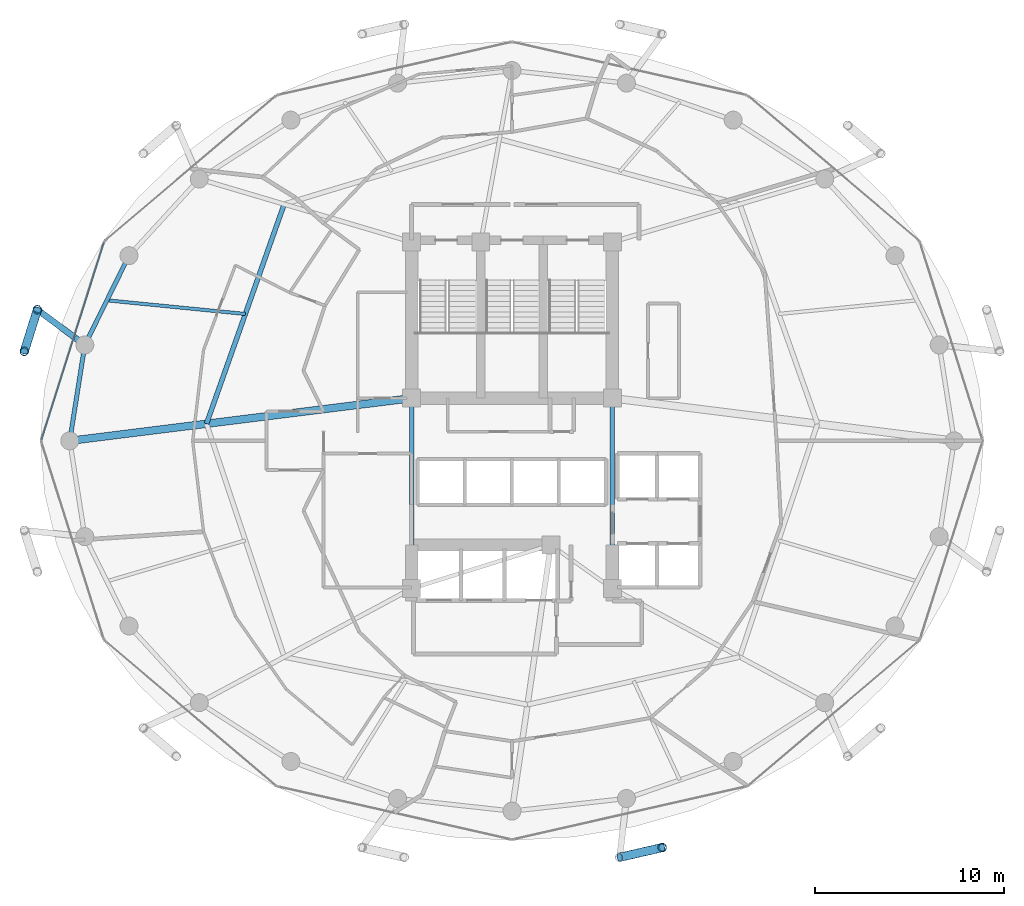
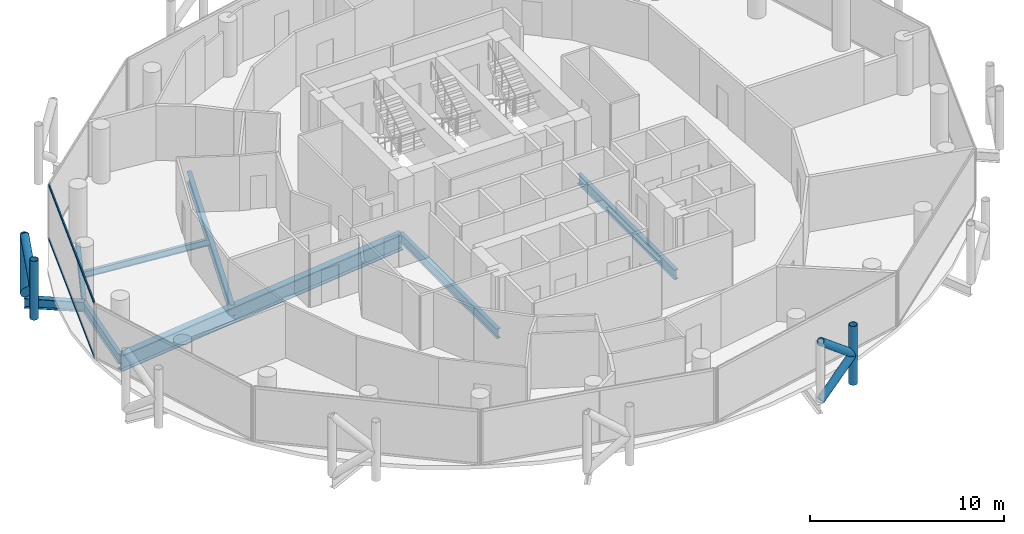
# One storey, part 7 of 26: 9 members, 8 beams, 1 element without a shape of its own.
"""IFC4 building model written with IfcOpenShell, lengths in metres."""

from ifc_helpers import new_model, si_unit, direction, frame, origin, origin_2d, place, context, subcontext, project, spatial, hollow_rectangle, hollow_circle, i_section, extrude, material, layer, layer_set, material_profile, profile_set, type_object, element, aggregate, save


model = new_model("IFC4")

# Units and contexts
model_context = context("Model", 3, precision=1e-05, world=origin(), true_north=direction((0.0, 1.0)))
body_context = subcontext(model_context, "Body", "Model", "MODEL_VIEW")
ifc_project = project(units=[si_unit("LENGTHUNIT", "METRE"), si_unit("AREAUNIT", "SQUARE_METRE"), si_unit("VOLUMEUNIT", "CUBIC_METRE"), si_unit("PLANEANGLEUNIT", "RADIAN"), si_unit("MASSUNIT", "GRAM", prefix="KILO")], contexts=[model_context])

# Site, building, storey
site_placement = place(None, origin())
site = spatial("IfcSite", under=ifc_project, at=site_placement, CompositionType="ELEMENT")
building_placement = place(site_placement, origin())
building = spatial("IfcBuilding", under=site, at=building_placement, Name="Nuhasar Tower", CompositionType="ELEMENT")
storey_placement = place(building_placement, frame((0.0, 0.0, 151.550048828125)))
storey = spatial("IfcBuildingStorey", under=building, at=storey_placement, Name="L36", CompositionType="ELEMENT", Elevation=151.550048828125)

# Beams
ifc_material_1 = material(Name="Steel S355", Category="steel")
ifc_material_profile_1 = material_profile(ifc_material_1, i_section(OverallWidth=0.25390625, OverallDepth=0.68408203125, WebThickness=0.012451171875, FlangeThickness=0.018798828125, at=origin_2d()), Name="W27X94")
ifc_profile_set_1 = profile_set([ifc_material_profile_1], Name="Steel S355")
beam_type_1 = type_object("IfcBeamType", Name="BM-INRING-W27X94", PredefinedType="BEAM", material=ifc_profile_set_1)
beam_1_placement = place(storey_placement, frame((26.972900390625, 39.2939453125, -0.592041015625), z_axis=(-0.333599821096, -0.942714781556, 0.0), x_axis=(0.942714781556, -0.333599821096, 0.0)))
element("IfcBeam", 1, at=beam_1_placement, inside=storey, type_object=beam_type_1, Name="L36 Inner Header Beam 07", PredefinedType="BEAM", context=body_context, shape_type="SweptSolid", body=[
    extrude(i_section(OverallWidth=0.25390625, OverallDepth=0.68408203125, WebThickness=0.012451171875, FlangeThickness=0.018798828125, at=origin_2d()), origin(), (0.0, 0.0, 1.0), 12.298583984375),
])
ifc_material_profile_2 = material_profile(ifc_material_1, i_section(OverallWidth=0.177978515625, OverallDepth=0.406005859375, WebThickness=0.0078125, FlangeThickness=0.0126953125, at=origin_2d()), Name="W16X40")
ifc_profile_set_2 = profile_set([ifc_material_profile_2], Name="Steel S355")
beam_type_2 = type_object("IfcBeamType", Name="BM-JST-W16X40", PredefinedType="JOIST", material=ifc_profile_set_2)
beam_2_placement = place(storey_placement, frame((24.922119140625, 33.4970703125, -0.453125), z_axis=(-0.995171845755, 0.098147834497, 0.0), x_axis=(-0.098147834497, -0.995171845755, 0.0)))
element("IfcBeam", 2, at=beam_2_placement, inside=storey, type_object=beam_type_2, Name="L36 Secondary Floor Joist 07", PredefinedType="JOIST", context=body_context, shape_type="SweptSolid", body=[
    extrude(i_section(OverallWidth=0.177978515625, OverallDepth=0.406005859375, WebThickness=0.0078125, FlangeThickness=0.0126953125, at=origin_2d()), origin(), (0.0, 0.0, 1.0), 7.345458984375),
])
ifc_material_profile_3 = material_profile(ifc_material_1, i_section(OverallWidth=0.22900390625, OverallDepth=0.612060546875, WebThickness=0.011962890625, FlangeThickness=0.01953125, at=origin_2d()), Name="W24X84")
ifc_profile_set_3 = profile_set([ifc_material_profile_3], Name="Steel S355")
beam_type_3 = type_object("IfcBeamType", Name="BM-RAD-W24X84", PredefinedType="BEAM", material=ifc_profile_set_3)
for number, where, z_axis, x_axis, name in (
    (3, (44.300048828125, 19.0, -0.55615234375), (0.0, 1.0, 0.0), (-1.0, 0.0, 0.0), "L36 Core Ring Girder 3"),
    (4, (33.699951171875, 29.050048828125, -0.55615234375), (0.0, -1.0, 0.0), (1.0, 0.0, 0.0), "L36 Core Ring Girder 8"),
):
    element("IfcBeam", number, at=place(storey_placement, frame(where, z_axis=z_axis, x_axis=x_axis)), inside=storey, type_object=beam_type_3, Name=name, PredefinedType="BEAM", context=body_context, shape_type="SweptSolid", body=[
        extrude(i_section(OverallWidth=0.22900390625, OverallDepth=0.612060546875, WebThickness=0.011962890625, FlangeThickness=0.01953125, at=origin_2d()), origin(), (0.0, 0.0, 1.0), 10.050048828125),
    ])
ifc_material_profile_4 = material_profile(ifc_material_1, i_section(OverallWidth=0.22998046875, OverallDepth=0.616943359375, WebThickness=0.01318359375, FlangeThickness=0.022216796875, at=origin_2d()), Name="W24X94")
ifc_profile_set_4 = profile_set([ifc_material_profile_4], Name="Steel S355")
beam_type_4 = type_object("IfcBeamType", Name="BM-RING-W24X94", PredefinedType="SPANDREL", material=ifc_profile_set_4)
beam_3_placement = place(storey_placement, frame((18.778076171875, 36.574951171875, -0.55810546875), z_axis=(-0.443347771709, -0.896349682501, 0.0), x_axis=(0.896349682501, -0.443347771709, 0.0)))
element("IfcBeam", 5, at=beam_3_placement, inside=storey, type_object=beam_type_4, Name="L36 Perimeter Ring Spandrel 11", PredefinedType="SPANDREL", context=body_context, shape_type="SweptSolid", body=[
    extrude(i_section(OverallWidth=0.22998046875, OverallDepth=0.616943359375, WebThickness=0.01318359375, FlangeThickness=0.022216796875, at=origin_2d()), origin(), (0.0, 0.0, 1.0), 5.260009765625),
])
beam_4_placement = place(storey_placement, frame((16.446044921875, 31.860107421875, -0.55810546875), z_axis=(-0.155426543608, -0.987847452566, 0.0), x_axis=(0.987847452566, -0.155426543608, 0.0)))
element("IfcBeam", 6, at=beam_4_placement, inside=storey, type_object=beam_type_4, Name="L36 Perimeter Ring Spandrel 12", PredefinedType="SPANDREL", context=body_context, shape_type="SweptSolid", body=[
    extrude(i_section(OverallWidth=0.22998046875, OverallDepth=0.616943359375, WebThickness=0.01318359375, FlangeThickness=0.022216796875, at=origin_2d()), origin(), (0.0, 0.0, 1.0), 5.122314453125),
])
ifc_material_profile_5 = material_profile(ifc_material_1, i_section(OverallWidth=0.323974609375, OverallDepth=0.611083984375, WebThickness=0.0126953125, FlangeThickness=0.01904296875, at=origin_2d()), Name="W24X104")
ifc_profile_set_5 = profile_set([ifc_material_profile_5], Name="Steel S355")
beam_type_5 = type_object("IfcBeamType", Name="BM-TIE-W24X104", PredefinedType="BEAM", material=ifc_profile_set_5)
beam_5_placement = place(storey_placement, frame((16.446044921875, 31.860107421875, -0.554931640625), z_axis=(-0.802872198291, 0.596151183183, 0.0), x_axis=(-0.596151183183, -0.802872198291, 0.0)))
element("IfcBeam", 7, at=beam_5_placement, inside=storey, type_object=beam_type_5, Name="L36 Exoskeleton Node Tie Beam 06", PredefinedType="BEAM", context=body_context, shape_type="SweptSolid", body=[
    extrude(i_section(OverallWidth=0.323974609375, OverallDepth=0.611083984375, WebThickness=0.0126953125, FlangeThickness=0.01904296875, at=origin_2d()), origin(), (0.0, 0.0, 1.0), 3.121337890625),
])
ifc_material_2 = material(Name="Steel S460", Category="steel")
ifc_material_profile_6 = material_profile(ifc_material_2, i_section(OverallWidth=0.40087890625, OverallDepth=1.010009765625, WebThickness=0.023681640625, FlangeThickness=0.0419921875, at=origin_2d()), Name="W40X297")
ifc_profile_set_6 = profile_set([ifc_material_profile_6], Name="Steel S460")
beam_type_6 = type_object("IfcBeamType", Name="BM-XFER-W40X297", PredefinedType="USERDEFINED", material=ifc_profile_set_6)
beam_6_placement = place(storey_placement, frame((33.699951171875, 29.050048828125, -0.755126953125), z_axis=(-0.992320149485, -0.123696082908, 0.0), x_axis=(0.123696082908, -0.992320149485, 0.0)))
element("IfcBeam", 8, at=beam_6_placement, inside=storey, type_object=beam_type_6, Name="L36 Radial Floor Girder 08", ObjectType="GIRDER", PredefinedType="USERDEFINED", context=body_context, shape_type="SweptSolid", body=[
    extrude(i_section(OverallWidth=0.40087890625, OverallDepth=1.010009765625, WebThickness=0.023681640625, FlangeThickness=0.0419921875, at=origin_2d()), origin(), (0.0, 0.0, 1.0), 18.189697265625),
])

# Curtain wall, members
ifc_material_3 = material(Name="Aluminium 6063-T6", Category="aluminium")
ifc_layer = layer(ifc_material_3, 0.199951171875)
ifc_layer_set = layer_set([ifc_layer], Name="Aluminium 6063-T6")
curtain_wall_type = type_object("IfcCurtainWallType", Name="CW-Z2-HTL", PredefinedType="NOTDEFINED", material=ifc_layer_set)
curtain_wall_placement = place(storey_placement, origin())
curtain_wall = element("IfcCurtainWall", 9, at=curtain_wall_placement, inside=storey, type_object=curtain_wall_type, Name="L36 Unitised Curtain Wall 06", PredefinedType="NOTDEFINED")
ifc_material_profile_7 = material_profile(ifc_material_3, hollow_rectangle(XDim=0.070068359375, YDim=0.159912109375, WallThickness=0.00439453125, at=origin_2d()), Name="CWT-3")
ifc_profile_set_7 = profile_set([ifc_material_profile_7], Name="Aluminium 6063-T6")
member_type_1 = type_object("IfcMemberType", Name="CW-TRN-S3", PredefinedType="USERDEFINED", material=ifc_profile_set_7)
member_1_placement = place(storey_placement, frame((17.449951171875, 37.26318359375, 0.034912109375), z_axis=(-0.301608163352, -0.953431967053, 0.0), x_axis=(0.953431967053, -0.301608163352, 0.0)))
member_1 = element("IfcMember", 10, at=member_1_placement, type_object=member_type_1, Name="CW-Z2 transom 1.1", ObjectType="TRANSOM", PredefinedType="USERDEFINED", context=body_context, shape_type="SweptSolid", body=[
    extrude(hollow_rectangle(XDim=0.070068359375, YDim=0.159912109375, WallThickness=0.00439453125, at=origin_2d()), origin(), (0.0, 0.0, 1.0), 10.904296875),
])
member_2_placement = place(storey_placement, frame((17.449951171875, 37.26318359375, 3.4150390625), z_axis=(-0.301608163352, -0.953431967053, 0.0), x_axis=(0.953431967053, -0.301608163352, 0.0)))
member_2 = element("IfcMember", 11, at=member_2_placement, type_object=member_type_1, Name="CW-Z2 transom 1.2", ObjectType="TRANSOM", PredefinedType="USERDEFINED", context=body_context, shape_type="SweptSolid", body=[
    extrude(hollow_rectangle(XDim=0.070068359375, YDim=0.159912109375, WallThickness=0.00439453125, at=origin_2d()), origin(), (0.0, 0.0, 1.0), 10.904296875),
])
aggregate(curtain_wall, [member_1, member_2])

# Members
ifc_material_profile_8 = material_profile(ifc_material_2, hollow_circle(Radius=0.228515625, WallThickness=0.022216796875, at=origin_2d()), Name="HSS457X22.2")
ifc_profile_set_8 = profile_set([ifc_material_profile_8], Name="Steel S460")
member_type_2 = type_object("IfcMemberType", Name="EXO-BRONZE-457", PredefinedType="BRACE", material=ifc_profile_set_8)
for number, where, z_axis, x_axis, name in (
    (12, (13.93994140625, 33.720947265625, 0.0), (0.0, 0.0, 1.0), (1.0, 0.0, 0.0), "L36 Exoskeleton Chord Column EC-06A"),
    (13, (13.251953125, 31.52587890625, 0.0), (0.0, 0.0, 1.0), (1.0, 0.0, 0.0), "L36 Exoskeleton Chord Column EC-06B"),
    (14, (46.927978515625, 5.323974609375, 0.0), (0.0, 0.0, 1.0), (1.0, 0.0, 0.0), "L36 Exoskeleton Chord Column EC-10B"),
):
    element("IfcMember", number, at=place(storey_placement, frame(where, z_axis=z_axis, x_axis=x_axis)), inside=storey, type_object=member_type_2, Name=name, PredefinedType="BRACE", context=body_context, shape_type="SweptSolid", body=[
        extrude(hollow_circle(Radius=0.228515625, WallThickness=0.022216796875, at=origin_2d()), origin(), (0.0, 0.0, 1.0), 3.699951171875),
    ])
member_3_placement = place(storey_placement, frame((13.93994140625, 33.720947265625, 0.0), z_axis=(-0.233067628236, -0.74361641074, 0.626669062861), x_axis=(0.954228474306, -0.29907861646, 0.0)))
element("IfcMember", 15, at=member_3_placement, inside=storey, type_object=member_type_2, Name="L36 Bronze Diagrid Brace W1-06", PredefinedType="BRACE", context=body_context, shape_type="SweptSolid", body=[
    extrude(hollow_circle(Radius=0.228515625, WallThickness=0.022216796875, at=origin_2d()), origin(), (0.0, 0.0, 1.0), 2.951904296875),
])
member_4_placement = place(storey_placement, frame((13.251953125, 31.52587890625, 1.849853515625), z_axis=(0.233055548538, 0.743577869731, 0.626719285599), x_axis=(-0.954228474306, 0.29907861646, 0.0)))
element("IfcMember", 16, at=member_4_placement, inside=storey, type_object=member_type_2, Name="L36 Bronze Diagrid Brace W2-06", PredefinedType="BRACE", context=body_context, shape_type="SweptSolid", body=[
    extrude(hollow_circle(Radius=0.228515625, WallThickness=0.022216796875, at=origin_2d()), origin(), (0.0, 0.0, 1.0), 2.9521484375),
])
member_5_placement = place(storey_placement, frame((44.68603515625, 4.81005859375, 0.0), z_axis=(0.759549860492, 0.174110035537, 0.626713415327), x_axis=(-0.223432882746, 0.974719316987, 0.0)))
element("IfcMember", 17, at=member_5_placement, inside=storey, type_object=member_type_2, Name="L36 Bronze Diagrid Brace W1-10", PredefinedType="BRACE", context=body_context, shape_type="SweptSolid", body=[
    extrude(hollow_circle(Radius=0.228515625, WallThickness=0.022216796875, at=origin_2d()), origin(), (0.0, 0.0, 1.0), 2.95166015625),
])
member_6_placement = place(storey_placement, frame((46.927978515625, 5.323974609375, 1.849853515625), z_axis=(-0.759510488094, -0.174101010284, 0.626763637022), x_axis=(0.223432882746, -0.974719316987, 0.0)))
element("IfcMember", 18, at=member_6_placement, inside=storey, type_object=member_type_2, Name="L36 Bronze Diagrid Brace W2-10", PredefinedType="BRACE", context=body_context, shape_type="SweptSolid", body=[
    extrude(hollow_circle(Radius=0.228515625, WallThickness=0.022216796875, at=origin_2d()), origin(), (0.0, 0.0, 1.0), 2.951904296875),
])

save(model, "model.ifc")
